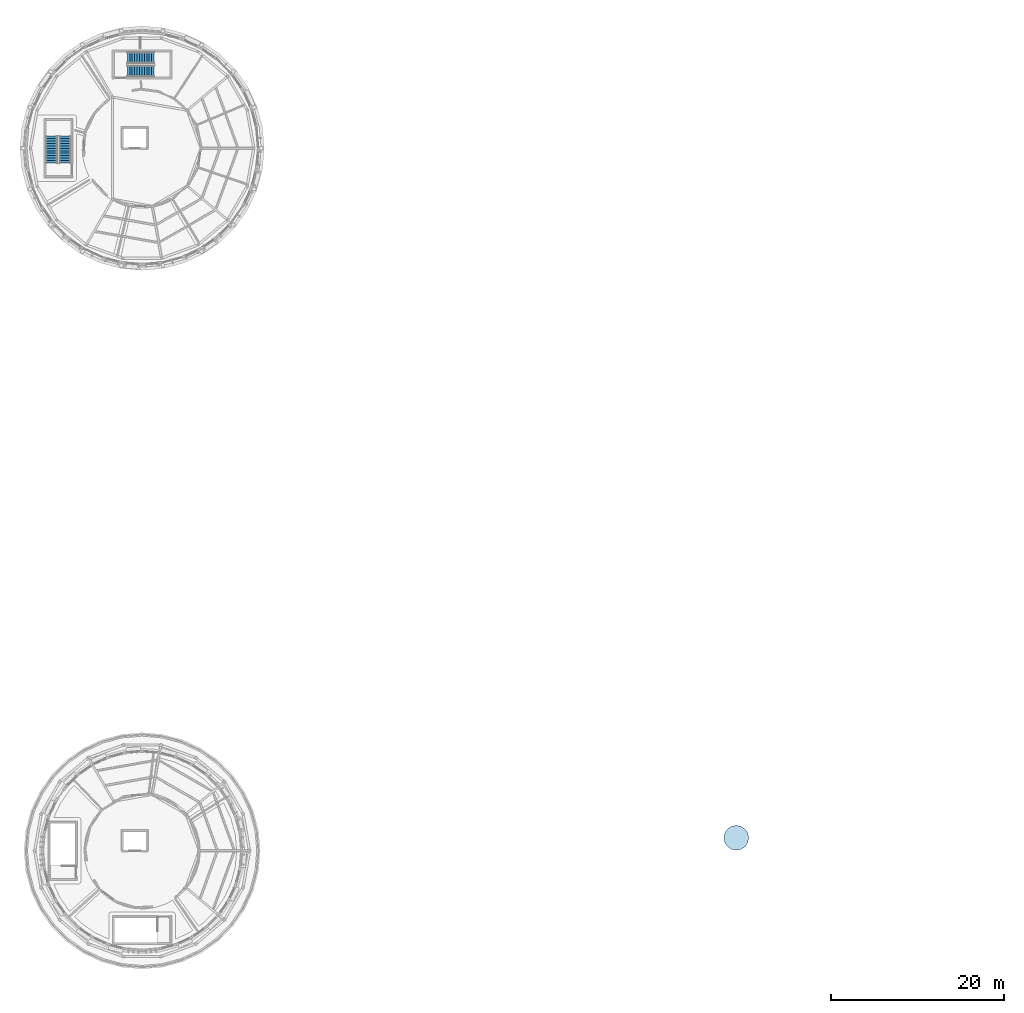
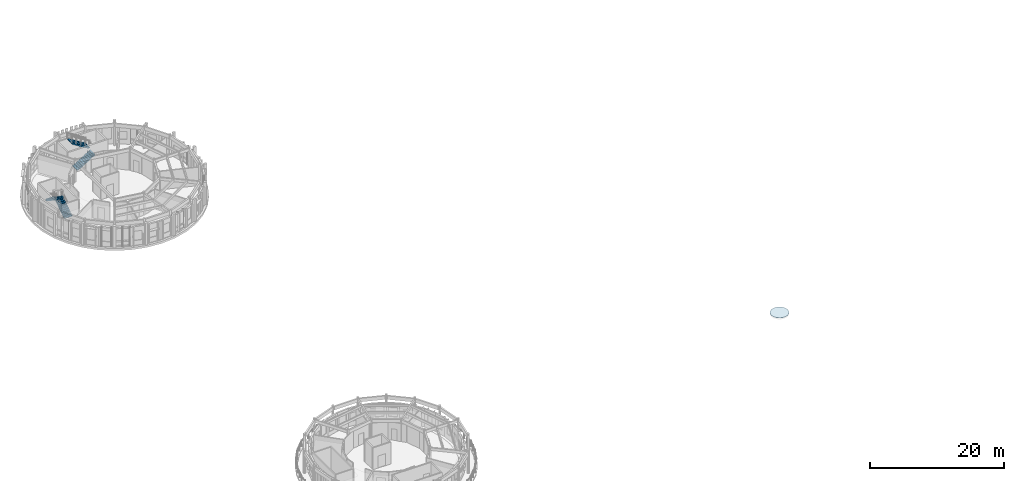
# One storey, part 22 of 30: 4 stair flights, 1 roof, 2 elements without a shape of their own.
"""IFC4 building model written with IfcOpenShell, lengths in metres."""

from ifc_helpers import new_model, si_unit, direction, frame, origin, place, context, subcontext, project, spatial, polyline, outline, extrude, material, layer, layer_set, type_object, element, aggregate, save


model = new_model("IFC4")

# Units and contexts
model_context = context("Model", 3, precision=1e-05, world=origin(), true_north=direction((0.0, 1.0)))
body_context = subcontext(model_context, "Body", "Model", "MODEL_VIEW")
ifc_project = project(units=[si_unit("LENGTHUNIT", "METRE"), si_unit("AREAUNIT", "SQUARE_METRE"), si_unit("VOLUMEUNIT", "CUBIC_METRE"), si_unit("PLANEANGLEUNIT", "RADIAN"), si_unit("MASSUNIT", "GRAM", prefix="KILO")], contexts=[model_context])

# Site, building, storey
site_placement = place(None, origin())
site = spatial("IfcSite", under=ifc_project, at=site_placement, CompositionType="ELEMENT")
building_placement = place(site_placement, origin())
building = spatial("IfcBuilding", under=site, at=building_placement, Name="Aldenvaro Health Centre", CompositionType="ELEMENT")
storey_placement = place(building_placement, frame((0.0, 0.0, 17.14990234375)))
storey = spatial("IfcBuildingStorey", under=building, at=storey_placement, Name="L04", CompositionType="ELEMENT", Elevation=17.14990234375)

# Stair, stair flights
ifc_material_1 = material(Name="Concrete f'c 40 MPa", Category="concrete")
stair_type = type_object("IfcStairType", Name="STR-DOG-420", PredefinedType="HALF_TURN_STAIR", material=ifc_material_1)
stair_1_placement = place(storey_placement, origin())
stair_1 = element("IfcStair", 1, at=stair_1_placement, inside=storey, type_object=stair_type, Name="L04 Exit Stair ST-07", PredefinedType="HALF_TURN_STAIR")
stair_flight_type_1 = type_object("IfcStairFlightType", Name="STRF-01", PredefinedType="STRAIGHT", material=ifc_material_1)
stair_flight_1_placement = place(storey_placement, frame((16.800048828125, 108.375, 0.0), z_axis=(0.0, 0.0, 1.0), x_axis=(1.0, 0.0, 0.0)))
stair_flight_1 = element("IfcStairFlight", 2, at=stair_flight_1_placement, type_object=stair_flight_type_1, Name="ST-07 flight 1", NumberOfRisers=12, NumberOfTreads=11, PredefinedType="STRAIGHT", RiserHeight=0.175, TreadLength=0.28, context=body_context, shape_type="SweptSolid", body=[
    extrude(outline(polyline([(0.0, 0.0), (0.0, 0.175048828125), (0.280029296875, 0.175048828125), (0.280029296875, 0.35009765625), (0.56005859375, 0.35009765625), (0.56005859375, 0.52490234375), (0.840087890625, 0.52490234375), (0.840087890625, 0.699951171875), (1.1201171875, 0.699951171875), (1.1201171875, 0.875), (1.39990234375, 0.875), (1.39990234375, 1.050048828125), (1.679931640625, 1.050048828125), (1.679931640625, 1.22509765625), (1.9599609375, 1.22509765625), (1.9599609375, 1.39990234375), (2.239990234375, 1.39990234375), (2.239990234375, 1.574951171875), (2.52001953125, 1.574951171875), (2.52001953125, 1.75), (2.800048828125, 1.75), (2.800048828125, 1.925048828125), (3.080078125, 1.925048828125), (3.080078125, 2.10009765625), (3.080078125, 1.736328125), (0.3017578125, 0.0), (0.0, 0.0)])), frame((0.0, 0.675048828125, 0.0), z_axis=(0.0, -1.0, 0.0), x_axis=(1.0, 0.0, 0.0)), (0.0, 0.0, 1.0), 1.35009765625),
])
stair_flight_2_placement = place(storey_placement, frame((19.8798828125, 109.925048828125, 2.10009765625), z_axis=(0.0, 0.0, 1.0), x_axis=(-1.0, 0.0, 0.0)))
stair_flight_2 = element("IfcStairFlight", 3, at=stair_flight_2_placement, type_object=stair_flight_type_1, Name="ST-07 flight 2", NumberOfRisers=12, NumberOfTreads=11, PredefinedType="STRAIGHT", RiserHeight=0.175, TreadLength=0.28, context=body_context, shape_type="SweptSolid", body=[
    extrude(outline(polyline([(0.0, 0.0), (0.0, 0.175048828125), (0.280029296875, 0.175048828125), (0.280029296875, 0.35009765625), (0.56005859375, 0.35009765625), (0.56005859375, 0.52490234375), (0.840087890625, 0.52490234375), (0.840087890625, 0.699951171875), (1.1201171875, 0.699951171875), (1.1201171875, 0.875), (1.39990234375, 0.875), (1.39990234375, 1.050048828125), (1.679931640625, 1.050048828125), (1.679931640625, 1.22509765625), (1.9599609375, 1.22509765625), (1.9599609375, 1.39990234375), (2.239990234375, 1.39990234375), (2.239990234375, 1.574951171875), (2.52001953125, 1.574951171875), (2.52001953125, 1.75), (2.800048828125, 1.75), (2.800048828125, 1.925048828125), (3.080078125, 1.925048828125), (3.080078125, 2.10009765625), (3.080078125, 1.736328125), (0.3017578125, 0.0), (0.0, 0.0)])), frame((0.0, 0.675048828125, 0.0), z_axis=(0.0, -1.0, 0.0), x_axis=(1.0, 0.0, 0.0)), (0.0, 0.0, 1.0), 1.35009765625),
])
aggregate(stair_1, [stair_flight_1, stair_flight_2])

stair_2_placement = place(storey_placement, origin())
stair_2 = element("IfcStair", 4, at=stair_2_placement, inside=storey, type_object=stair_type, Name="L04 Exit Stair ST-08", PredefinedType="HALF_TURN_STAIR")
stair_flight_type_2 = type_object("IfcStairFlightType", Name="STRF-02", PredefinedType="STRAIGHT", material=ifc_material_1)
stair_flight_3_placement = place(storey_placement, frame((9.625, 97.800048828125, 0.0), z_axis=(0.0, 0.0, 1.0), x_axis=(0.0, 1.0, 0.0)))
stair_flight_3 = element("IfcStairFlight", 5, at=stair_flight_3_placement, type_object=stair_flight_type_2, Name="ST-08 flight 1", NumberOfRisers=12, NumberOfTreads=11, PredefinedType="STRAIGHT", RiserHeight=0.175, TreadLength=0.28, context=body_context, shape_type="SweptSolid", body=[
    extrude(outline(polyline([(0.0, 0.0), (0.0, 0.175048828125), (0.280029296875, 0.175048828125), (0.280029296875, 0.35009765625), (0.56005859375, 0.35009765625), (0.56005859375, 0.52490234375), (0.840087890625, 0.52490234375), (0.840087890625, 0.699951171875), (1.1201171875, 0.699951171875), (1.1201171875, 0.875), (1.39990234375, 0.875), (1.39990234375, 1.050048828125), (1.679931640625, 1.050048828125), (1.679931640625, 1.22509765625), (1.9599609375, 1.22509765625), (1.9599609375, 1.39990234375), (2.239990234375, 1.39990234375), (2.239990234375, 1.574951171875), (2.52001953125, 1.574951171875), (2.52001953125, 1.75), (2.800048828125, 1.75), (2.800048828125, 1.925048828125), (3.080078125, 1.925048828125), (3.080078125, 2.10009765625), (3.080078125, 1.736328125), (0.3017578125, 0.0), (0.0, 0.0)])), frame((0.0, 0.675048828125, 0.0), z_axis=(0.0, -1.0, 0.0), x_axis=(1.0, 0.0, 0.0)), (0.0, 0.0, 1.0), 1.35009765625),
])
stair_flight_4_placement = place(storey_placement, frame((8.074951171875, 100.8798828125, 2.10009765625), z_axis=(0.0, 0.0, 1.0), x_axis=(0.0, -1.0, 0.0)))
stair_flight_4 = element("IfcStairFlight", 6, at=stair_flight_4_placement, type_object=stair_flight_type_2, Name="ST-08 flight 2", NumberOfRisers=12, NumberOfTreads=11, PredefinedType="STRAIGHT", RiserHeight=0.175, TreadLength=0.28, context=body_context, shape_type="SweptSolid", body=[
    extrude(outline(polyline([(0.0, 0.0), (0.0, 0.175048828125), (0.280029296875, 0.175048828125), (0.280029296875, 0.35009765625), (0.56005859375, 0.35009765625), (0.56005859375, 0.52490234375), (0.840087890625, 0.52490234375), (0.840087890625, 0.699951171875), (1.1201171875, 0.699951171875), (1.1201171875, 0.875), (1.39990234375, 0.875), (1.39990234375, 1.050048828125), (1.679931640625, 1.050048828125), (1.679931640625, 1.22509765625), (1.9599609375, 1.22509765625), (1.9599609375, 1.39990234375), (2.239990234375, 1.39990234375), (2.239990234375, 1.574951171875), (2.52001953125, 1.574951171875), (2.52001953125, 1.75), (2.800048828125, 1.75), (2.800048828125, 1.925048828125), (3.080078125, 1.925048828125), (3.080078125, 2.10009765625), (3.080078125, 1.736328125), (0.3017578125, 0.0), (0.0, 0.0)])), frame((0.0, 0.675048828125, 0.0), z_axis=(0.0, -1.0, 0.0), x_axis=(1.0, 0.0, 0.0)), (0.0, 0.0, 1.0), 1.35009765625),
])
aggregate(stair_2, [stair_flight_3, stair_flight_4])

# Roof
ifc_material_2 = material(Name="Cross-laminated timber CLT E1", Category="wood")
ifc_layer = layer(ifc_material_2, 0.280029296875, Name="Cross-laminated timber CLT E1", Category="wood")
ifc_layer_set = layer_set([ifc_layer], Name="Cross-laminated timber CLT E1")
roof_type = type_object("IfcRoofType", Name="RF-TRUSS-280", PredefinedType="GABLE_ROOF", material=ifc_layer_set)
roof_placement = place(storey_placement, frame((0.0, 0.0, 2.760986328125)))
element("IfcRoof", 7, at=roof_placement, inside=storey, type_object=roof_type, Name="Waiting Rotunda Conical Apex Cap", PredefinedType="GABLE_ROOF", context=body_context, shape_type="SweptSolid", body=[
    extrude(outline(polyline([(88.429931640625, 20.0), (88.321044921875, 20.547119140625), (88.010986328125, 21.010986328125), (87.547119140625, 21.321044921875), (87.0, 21.429931640625), (86.452880859375, 21.321044921875), (85.989013671875, 21.010986328125), (85.678955078125, 20.547119140625), (85.570068359375, 20.0), (85.678955078125, 19.452880859375), (85.989013671875, 18.989013671875), (86.452880859375, 18.678955078125), (87.0, 18.570068359375), (87.547119140625, 18.678955078125), (88.010986328125, 18.989013671875), (88.321044921875, 19.452880859375), (88.429931640625, 20.0)])), origin(), (0.0, 0.0, 1.0), 0.05908203125),
])

save(model, "model.ifc")
